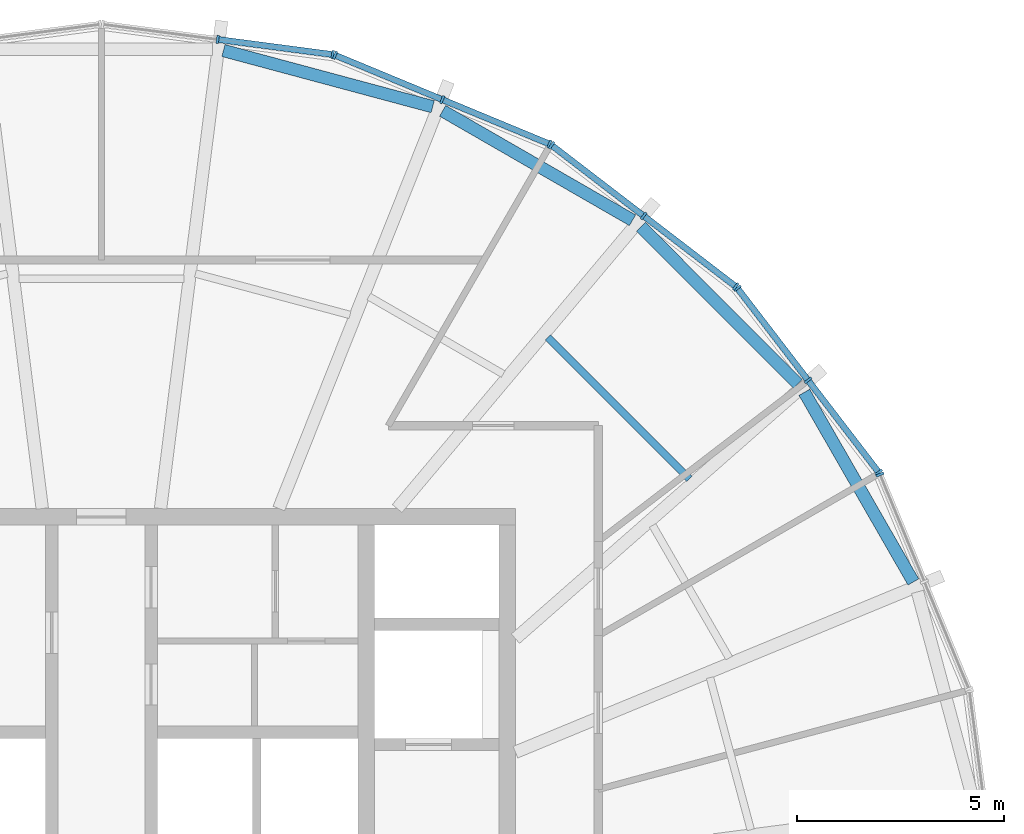
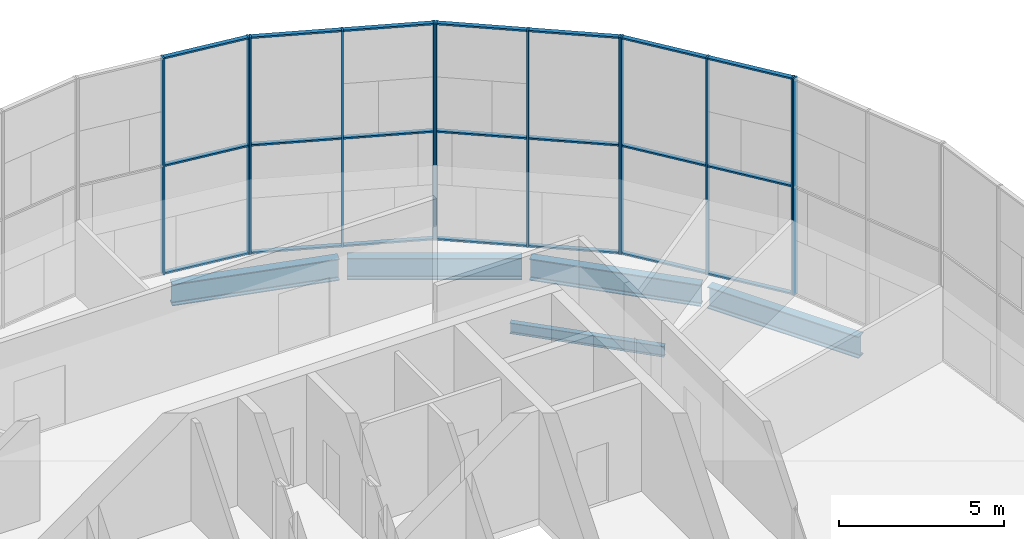
# One storey, part 7 of 18: 33 members, 5 beams, 5 elements without a shape of their own.
"""IFC4 building model written with IfcOpenShell, lengths in metres."""

from ifc_helpers import new_model, si_unit, direction, frame, origin, origin_2d, place, context, subcontext, project, spatial, rectangle, i_section, extrude, material, material_profile, profile_set, type_object, element, aggregate, save


model = new_model("IFC4")

# Units and contexts
model_context = context("Model", 3, precision=1e-05, world=origin(), true_north=direction((0.0, 1.0)))
body_context = subcontext(model_context, "Body", "Model", "MODEL_VIEW")
ifc_project = project(units=[si_unit("LENGTHUNIT", "METRE"), si_unit("AREAUNIT", "SQUARE_METRE"), si_unit("VOLUMEUNIT", "CUBIC_METRE"), si_unit("PLANEANGLEUNIT", "RADIAN"), si_unit("MASSUNIT", "GRAM", prefix="KILO")], contexts=[model_context])

# Site, building, storey
site_placement = place(None, origin())
site = spatial("IfcSite", under=ifc_project, at=site_placement, CompositionType="ELEMENT")
building_placement = place(site_placement, origin())
building = spatial("IfcBuilding", under=site, at=building_placement, Name="Golbaran Civic Tower", CompositionType="ELEMENT")
storey_placement = place(building_placement, frame((0.0, 0.0, 272.0)))
storey = spatial("IfcBuildingStorey", under=building, at=storey_placement, Name="L66", CompositionType="ELEMENT", Elevation=272.0)

# Beams
ifc_material_1 = material(Name="Steel S355", Category="steel")
ifc_material_profile_1 = material_profile(ifc_material_1, i_section(OverallWidth=0.300048828125, OverallDepth=0.800048828125, WebThickness=0.017578125, FlangeThickness=0.032958984375, FilletRadius=0.030029296875, at=origin_2d()), Name="HEB 800")
ifc_profile_set_1 = profile_set([ifc_material_profile_1], Name="Steel S355")
beam_type_1 = type_object("IfcBeamType", Name="EDGE BEAM HEB 800", PredefinedType="BEAM", material=ifc_profile_set_1)
beam_1_placement = place(storey_placement, frame((19.61083984375, 8.226806640625, -0.60009765625), z_axis=(-0.498381695671, 0.866957718358, 0.0), x_axis=(-0.866957718358, -0.498381695671, 0.0)))
element("IfcBeam", 1, at=beam_1_placement, inside=storey, type_object=beam_type_1, Name="Edge beam 22.41 L66", PredefinedType="BEAM", context=body_context, shape_type="SweptSolid", body=[
    extrude(i_section(OverallWidth=0.300048828125, OverallDepth=0.800048828125, WebThickness=0.017578125, FlangeThickness=0.032958984375, FilletRadius=0.030029296875, at=origin_2d()), origin(), (0.0, 0.0, 1.0), 5.283203125),
])
beam_2_placement = place(storey_placement, frame((16.819580078125, 13.01416015625, -0.60009765625), z_axis=(-0.70669645465, 0.707516869753, 0.0), x_axis=(-0.707516869753, -0.70669645465, 0.0)))
element("IfcBeam", 2, at=beam_2_placement, inside=storey, type_object=beam_type_1, Name="Edge beam 37.59 L66", PredefinedType="BEAM", context=body_context, shape_type="SweptSolid", body=[
    extrude(i_section(OverallWidth=0.300048828125, OverallDepth=0.800048828125, WebThickness=0.017578125, FlangeThickness=0.032958984375, FilletRadius=0.030029296875, at=origin_2d()), origin(), (0.0, 0.0, 1.0), 5.3564453125),
])
beam_3_placement = place(storey_placement, frame((12.82763671875, 16.962158203125, -0.60009765625), z_axis=(-0.866440450547, 0.499280427871, 0.0), x_axis=(-0.499280427871, -0.866440450547, 0.0)))
element("IfcBeam", 3, at=beam_3_placement, inside=storey, type_object=beam_type_1, Name="Edge beam 52.41 L66", PredefinedType="BEAM", context=body_context, shape_type="SweptSolid", body=[
    extrude(i_section(OverallWidth=0.300048828125, OverallDepth=0.800048828125, WebThickness=0.017578125, FlangeThickness=0.032958984375, FilletRadius=0.030029296875, at=origin_2d()), origin(), (0.0, 0.0, 1.0), 5.292236328125),
])
beam_4_placement = place(storey_placement, frame((8.001953125, 19.7041015625, -0.60009765625), z_axis=(-0.965775895826, 0.259377946329, 0.0), x_axis=(-0.259377946329, -0.965775895826, 0.0)))
element("IfcBeam", 4, at=beam_4_placement, inside=storey, type_object=beam_type_1, Name="Edge beam 67.59 L66", PredefinedType="BEAM", context=body_context, shape_type="SweptSolid", body=[
    extrude(i_section(OverallWidth=0.300048828125, OverallDepth=0.800048828125, WebThickness=0.017578125, FlangeThickness=0.032958984375, FilletRadius=0.030029296875, at=origin_2d()), origin(), (0.0, 0.0, 1.0), 5.234375),
])
ifc_material_profile_2 = material_profile(ifc_material_1, i_section(OverallWidth=0.179931640625, OverallDepth=0.39990234375, WebThickness=0.008544921875, FlangeThickness=0.013427734375, FilletRadius=0.02099609375, at=origin_2d()), Name="IPE 400")
ifc_profile_set_2 = profile_set([ifc_material_profile_2], Name="Steel S355")
beam_type_2 = type_object("IfcBeamType", Name="FLOOR INFILL BEAM IPE 400", PredefinedType="BEAM", material=ifc_profile_set_2)
beam_5_placement = place(storey_placement, frame((14.201171875, 10.716796875, -0.39990234375), z_axis=(-0.707081500738, 0.707132060731, 0.0), x_axis=(-0.707132060731, -0.707081500738, 0.0)))
element("IfcBeam", 5, at=beam_5_placement, inside=storey, type_object=beam_type_2, Name="Infill beam 45.00 L66", PredefinedType="BEAM", context=body_context, shape_type="SweptSolid", body=[
    extrude(i_section(OverallWidth=0.179931640625, OverallDepth=0.39990234375, WebThickness=0.008544921875, FlangeThickness=0.013427734375, FilletRadius=0.02099609375, at=origin_2d()), origin(), (0.0, 0.0, 1.0), 4.82861328125),
])

# Curtain wall, member
ifc_material_2 = material(Name="Aluminium and glass", Category="aluminium")
curtain_wall_type = type_object("IfcCurtainWallType", Name="INNER SKIN CURTAIN WALL EXECUTIVE", PredefinedType="NOTDEFINED", material=ifc_material_2)
curtain_wall_1_placement = place(storey_placement, origin())
curtain_wall_1 = element("IfcCurtainWall", 6, at=curtain_wall_1_placement, inside=storey, type_object=curtain_wall_type, Name="Inner skin L66 facet 2 CW2", ObjectType="INNER SKIN", PredefinedType="USERDEFINED")
ifc_material_3 = material(Name="Aluminium", Category="aluminium")
ifc_material_profile_3 = material_profile(ifc_material_3, rectangle(XDim=0.199951171875, YDim=0.06005859375, at=origin_2d()), Name="INNER SKIN CURTAIN WALL EXECUTIVE MULLION")
ifc_profile_set_3 = profile_set([ifc_material_profile_3], Name="Aluminium")
member_type_1 = type_object("IfcMemberType", Name="INNER SKIN CURTAIN WALL EXECUTIVE MULLION", PredefinedType="MULLION", material=ifc_profile_set_3)
member_1_placement = place(storey_placement, frame((18.803466796875, 10.82177734375, 0.0), z_axis=(0.0, 0.0, 1.0), x_axis=(-0.923879532498, -0.382683432397, 0.0)))
member_1 = element("IfcMember", 7, at=member_1_placement, type_object=member_type_1, Name="CW2 mullion 3", PredefinedType="MULLION", context=body_context, shape_type="SweptSolid", body=[
    extrude(rectangle(XDim=0.199951171875, YDim=0.06005859375, at=origin_2d()), origin(), (0.0, 0.0, 1.0), 8.0),
])
aggregate(curtain_wall_1, [member_1])

# Curtain wall, members
curtain_wall_2_placement = place(storey_placement, origin())
curtain_wall_2 = element("IfcCurtainWall", 8, at=curtain_wall_2_placement, inside=storey, type_object=curtain_wall_type, Name="Inner skin L66 facet 3 CW2", ObjectType="INNER SKIN", PredefinedType="USERDEFINED")
member_2_placement = place(storey_placement, frame((18.773681640625, 10.873291015625, 0.0), z_axis=(0.0, 0.0, 1.0), x_axis=(-0.79335334027, -0.608761429036, 0.0)))
member_2 = element("IfcMember", 9, at=member_2_placement, type_object=member_type_1, Name="CW2 mullion 1", PredefinedType="MULLION", context=body_context, shape_type="SweptSolid", body=[
    extrude(rectangle(XDim=0.199951171875, YDim=0.06005859375, at=origin_2d()), origin(), (0.0, 0.0, 1.0), 8.0),
])
member_3_placement = place(storey_placement, frame((17.067626953125, 13.096435546875, 0.0), z_axis=(0.0, 0.0, 1.0), x_axis=(-0.79335334027, -0.608761429036, 0.0)))
member_3 = element("IfcMember", 10, at=member_3_placement, type_object=member_type_1, Name="CW2 mullion 2", PredefinedType="MULLION", context=body_context, shape_type="SweptSolid", body=[
    extrude(rectangle(XDim=0.199951171875, YDim=0.06005859375, at=origin_2d()), origin(), (0.0, 0.0, 1.0), 8.0),
])
member_4_placement = place(storey_placement, frame((15.36181640625, 15.31982421875, 0.0), z_axis=(0.0, 0.0, 1.0), x_axis=(-0.79335334027, -0.608761429036, 0.0)))
member_4 = element("IfcMember", 11, at=member_4_placement, type_object=member_type_1, Name="CW2 mullion 3", PredefinedType="MULLION", context=body_context, shape_type="SweptSolid", body=[
    extrude(rectangle(XDim=0.199951171875, YDim=0.06005859375, at=origin_2d()), origin(), (0.0, 0.0, 1.0), 8.0),
])

curtain_wall_3_placement = place(storey_placement, origin())
curtain_wall_3 = element("IfcCurtainWall", 12, at=curtain_wall_3_placement, inside=storey, type_object=curtain_wall_type, Name="Inner skin L66 facet 4 CW2", ObjectType="INNER SKIN", PredefinedType="USERDEFINED")
member_5_placement = place(storey_placement, frame((15.31982421875, 15.36181640625, 0.0), z_axis=(0.0, 0.0, 1.0), x_axis=(-0.608761429036, -0.79335334027, 0.0)))
member_5 = element("IfcMember", 13, at=member_5_placement, type_object=member_type_1, Name="CW2 mullion 1", PredefinedType="MULLION", context=body_context, shape_type="SweptSolid", body=[
    extrude(rectangle(XDim=0.199951171875, YDim=0.06005859375, at=origin_2d()), origin(), (0.0, 0.0, 1.0), 8.0),
])
member_6_placement = place(storey_placement, frame((13.096435546875, 17.067626953125, 0.0), z_axis=(0.0, 0.0, 1.0), x_axis=(-0.608761429036, -0.79335334027, 0.0)))
member_6 = element("IfcMember", 14, at=member_6_placement, type_object=member_type_1, Name="CW2 mullion 2", PredefinedType="MULLION", context=body_context, shape_type="SweptSolid", body=[
    extrude(rectangle(XDim=0.199951171875, YDim=0.06005859375, at=origin_2d()), origin(), (0.0, 0.0, 1.0), 8.0),
])
member_7_placement = place(storey_placement, frame((10.873291015625, 18.773681640625, 0.0), z_axis=(0.0, 0.0, 1.0), x_axis=(-0.608761429036, -0.79335334027, 0.0)))
member_7 = element("IfcMember", 15, at=member_7_placement, type_object=member_type_1, Name="CW2 mullion 3", PredefinedType="MULLION", context=body_context, shape_type="SweptSolid", body=[
    extrude(rectangle(XDim=0.199951171875, YDim=0.06005859375, at=origin_2d()), origin(), (0.0, 0.0, 1.0), 8.0),
])

curtain_wall_4_placement = place(storey_placement, origin())
curtain_wall_4 = element("IfcCurtainWall", 16, at=curtain_wall_4_placement, inside=storey, type_object=curtain_wall_type, Name="Inner skin L66 facet 5 CW2", ObjectType="INNER SKIN", PredefinedType="USERDEFINED")
member_8_placement = place(storey_placement, frame((10.82177734375, 18.803466796875, 0.0), z_axis=(0.0, 0.0, 1.0), x_axis=(-0.382683432397, -0.923879532498, 0.0)))
member_8 = element("IfcMember", 17, at=member_8_placement, type_object=member_type_1, Name="CW2 mullion 1", PredefinedType="MULLION", context=body_context, shape_type="SweptSolid", body=[
    extrude(rectangle(XDim=0.199951171875, YDim=0.06005859375, at=origin_2d()), origin(), (0.0, 0.0, 1.0), 8.0),
])
member_9_placement = place(storey_placement, frame((8.23291015625, 19.875732421875, 0.0), z_axis=(0.0, 0.0, 1.0), x_axis=(-0.382683432397, -0.923879532498, 0.0)))
member_9 = element("IfcMember", 18, at=member_9_placement, type_object=member_type_1, Name="CW2 mullion 2", PredefinedType="MULLION", context=body_context, shape_type="SweptSolid", body=[
    extrude(rectangle(XDim=0.199951171875, YDim=0.06005859375, at=origin_2d()), origin(), (0.0, 0.0, 1.0), 8.0),
])
member_10_placement = place(storey_placement, frame((5.643798828125, 20.9482421875, 0.0), z_axis=(0.0, 0.0, 1.0), x_axis=(-0.382683432397, -0.923879532498, 0.0)))
member_10 = element("IfcMember", 19, at=member_10_placement, type_object=member_type_1, Name="CW2 mullion 3", PredefinedType="MULLION", context=body_context, shape_type="SweptSolid", body=[
    extrude(rectangle(XDim=0.199951171875, YDim=0.06005859375, at=origin_2d()), origin(), (0.0, 0.0, 1.0), 8.0),
])

curtain_wall_5_placement = place(storey_placement, origin())
curtain_wall_5 = element("IfcCurtainWall", 20, at=curtain_wall_5_placement, inside=storey, type_object=curtain_wall_type, Name="Inner skin L66 facet 6 CW2", ObjectType="INNER SKIN", PredefinedType="USERDEFINED")
member_11_placement = place(storey_placement, frame((5.58642578125, 20.963623046875, 0.0), z_axis=(0.0, 0.0, 1.0), x_axis=(-0.130526192151, -0.991444861383, 0.0)))
member_11 = element("IfcMember", 21, at=member_11_placement, type_object=member_type_1, Name="CW2 mullion 1", PredefinedType="MULLION", context=body_context, shape_type="SweptSolid", body=[
    extrude(rectangle(XDim=0.199951171875, YDim=0.06005859375, at=origin_2d()), origin(), (0.0, 0.0, 1.0), 8.0),
])
member_12_placement = place(storey_placement, frame((2.80810546875, 21.329345703125, 0.0), z_axis=(0.0, 0.0, 1.0), x_axis=(-0.130526192151, -0.991444861383, 0.0)))
member_12 = element("IfcMember", 22, at=member_12_placement, type_object=member_type_1, Name="CW2 mullion 2", PredefinedType="MULLION", context=body_context, shape_type="SweptSolid", body=[
    extrude(rectangle(XDim=0.199951171875, YDim=0.06005859375, at=origin_2d()), origin(), (0.0, 0.0, 1.0), 8.0),
])

# Member
ifc_material_profile_4 = material_profile(ifc_material_3, rectangle(XDim=0.14990234375, YDim=0.06005859375, at=origin_2d()), Name="INNER SKIN CURTAIN WALL EXECUTIVE TRANSOM")
ifc_profile_set_4 = profile_set([ifc_material_profile_4], Name="Aluminium")
member_type_2 = type_object("IfcMemberType", Name="INNER SKIN CURTAIN WALL EXECUTIVE TRANSOM", PredefinedType="USERDEFINED", material=ifc_profile_set_4)
member_13_placement = place(storey_placement, frame((18.75537109375, 10.897216796875, 0.030029296875), z_axis=(-0.60878099708, 0.793338324799, 0.0), x_axis=(-0.793338324799, -0.60878099708, 0.0)))
member_13 = element("IfcMember", 23, at=member_13_placement, type_object=member_type_2, Name="CW2 transom 1.1", ObjectType="TRANSOM", PredefinedType="USERDEFINED", context=body_context, shape_type="SweptSolid", body=[
    extrude(rectangle(XDim=0.14990234375, YDim=0.06005859375, at=origin_2d()), origin(), (0.0, 0.0, 1.0), 2.7421875),
])

member_14_placement = place(storey_placement, frame((18.75537109375, 10.897216796875, 4.0), z_axis=(-0.60878099708, 0.793338324799, 0.0), x_axis=(-0.793338324799, -0.60878099708, 0.0)))
member_14 = element("IfcMember", 24, at=member_14_placement, type_object=member_type_2, Name="CW2 transom 1.2", ObjectType="TRANSOM", PredefinedType="USERDEFINED", context=body_context, shape_type="SweptSolid", body=[
    extrude(rectangle(XDim=0.14990234375, YDim=0.06005859375, at=origin_2d()), origin(), (0.0, 0.0, 1.0), 2.7421875),
])

member_15_placement = place(storey_placement, frame((18.75537109375, 10.897216796875, 7.969970703125), z_axis=(-0.60878099708, 0.793338324799, 0.0), x_axis=(-0.793338324799, -0.60878099708, 0.0)))
member_15 = element("IfcMember", 25, at=member_15_placement, type_object=member_type_2, Name="CW2 transom 1.3", ObjectType="TRANSOM", PredefinedType="USERDEFINED", context=body_context, shape_type="SweptSolid", body=[
    extrude(rectangle(XDim=0.14990234375, YDim=0.06005859375, at=origin_2d()), origin(), (0.0, 0.0, 1.0), 2.7421875),
])

member_16_placement = place(storey_placement, frame((17.04931640625, 13.120361328125, 0.030029296875), z_axis=(-0.608724958881, 0.793381323473, 0.0), x_axis=(-0.793381323473, -0.608724958881, 0.0)))
member_16 = element("IfcMember", 26, at=member_16_placement, type_object=member_type_2, Name="CW2 transom 2.1", ObjectType="TRANSOM", PredefinedType="USERDEFINED", context=body_context, shape_type="SweptSolid", body=[
    extrude(rectangle(XDim=0.14990234375, YDim=0.06005859375, at=origin_2d()), origin(), (0.0, 0.0, 1.0), 2.7421875),
])

member_17_placement = place(storey_placement, frame((17.04931640625, 13.120361328125, 4.0), z_axis=(-0.608724958881, 0.793381323473, 0.0), x_axis=(-0.793381323473, -0.608724958881, 0.0)))
member_17 = element("IfcMember", 27, at=member_17_placement, type_object=member_type_2, Name="CW2 transom 2.2", ObjectType="TRANSOM", PredefinedType="USERDEFINED", context=body_context, shape_type="SweptSolid", body=[
    extrude(rectangle(XDim=0.14990234375, YDim=0.06005859375, at=origin_2d()), origin(), (0.0, 0.0, 1.0), 2.7421875),
])

member_18_placement = place(storey_placement, frame((17.04931640625, 13.120361328125, 7.969970703125), z_axis=(-0.608724958881, 0.793381323473, 0.0), x_axis=(-0.793381323473, -0.608724958881, 0.0)))
member_18 = element("IfcMember", 28, at=member_18_placement, type_object=member_type_2, Name="CW2 transom 2.3", ObjectType="TRANSOM", PredefinedType="USERDEFINED", context=body_context, shape_type="SweptSolid", body=[
    extrude(rectangle(XDim=0.14990234375, YDim=0.06005859375, at=origin_2d()), origin(), (0.0, 0.0, 1.0), 2.7421875),
])

aggregate(curtain_wall_2, [member_2, member_3, member_4, member_13, member_14, member_15, member_16, member_17, member_18])

member_19_placement = place(storey_placement, frame((15.2958984375, 15.380126953125, 0.030029296875), z_axis=(-0.793381323473, 0.608724958881, 0.0), x_axis=(-0.608724958881, -0.793381323473, 0.0)))
member_19 = element("IfcMember", 29, at=member_19_placement, type_object=member_type_2, Name="CW2 transom 1.1", ObjectType="TRANSOM", PredefinedType="USERDEFINED", context=body_context, shape_type="SweptSolid", body=[
    extrude(rectangle(XDim=0.14990234375, YDim=0.06005859375, at=origin_2d()), origin(), (0.0, 0.0, 1.0), 2.7421875),
])

member_20_placement = place(storey_placement, frame((15.2958984375, 15.380126953125, 4.0), z_axis=(-0.793381323473, 0.608724958881, 0.0), x_axis=(-0.608724958881, -0.793381323473, 0.0)))
member_20 = element("IfcMember", 30, at=member_20_placement, type_object=member_type_2, Name="CW2 transom 1.2", ObjectType="TRANSOM", PredefinedType="USERDEFINED", context=body_context, shape_type="SweptSolid", body=[
    extrude(rectangle(XDim=0.14990234375, YDim=0.06005859375, at=origin_2d()), origin(), (0.0, 0.0, 1.0), 2.7421875),
])

member_21_placement = place(storey_placement, frame((15.2958984375, 15.380126953125, 7.969970703125), z_axis=(-0.793381323473, 0.608724958881, 0.0), x_axis=(-0.608724958881, -0.793381323473, 0.0)))
member_21 = element("IfcMember", 31, at=member_21_placement, type_object=member_type_2, Name="CW2 transom 1.3", ObjectType="TRANSOM", PredefinedType="USERDEFINED", context=body_context, shape_type="SweptSolid", body=[
    extrude(rectangle(XDim=0.14990234375, YDim=0.06005859375, at=origin_2d()), origin(), (0.0, 0.0, 1.0), 2.7421875),
])

member_22_placement = place(storey_placement, frame((13.07275390625, 17.0859375, 0.030029296875), z_axis=(-0.793338324799, 0.60878099708, 0.0), x_axis=(-0.60878099708, -0.793338324799, 0.0)))
member_22 = element("IfcMember", 32, at=member_22_placement, type_object=member_type_2, Name="CW2 transom 2.1", ObjectType="TRANSOM", PredefinedType="USERDEFINED", context=body_context, shape_type="SweptSolid", body=[
    extrude(rectangle(XDim=0.14990234375, YDim=0.06005859375, at=origin_2d()), origin(), (0.0, 0.0, 1.0), 2.7421875),
])

member_23_placement = place(storey_placement, frame((13.07275390625, 17.0859375, 4.0), z_axis=(-0.793338324799, 0.60878099708, 0.0), x_axis=(-0.60878099708, -0.793338324799, 0.0)))
member_23 = element("IfcMember", 33, at=member_23_placement, type_object=member_type_2, Name="CW2 transom 2.2", ObjectType="TRANSOM", PredefinedType="USERDEFINED", context=body_context, shape_type="SweptSolid", body=[
    extrude(rectangle(XDim=0.14990234375, YDim=0.06005859375, at=origin_2d()), origin(), (0.0, 0.0, 1.0), 2.7421875),
])

member_24_placement = place(storey_placement, frame((13.07275390625, 17.0859375, 7.969970703125), z_axis=(-0.793338324799, 0.60878099708, 0.0), x_axis=(-0.60878099708, -0.793338324799, 0.0)))
member_24 = element("IfcMember", 34, at=member_24_placement, type_object=member_type_2, Name="CW2 transom 2.3", ObjectType="TRANSOM", PredefinedType="USERDEFINED", context=body_context, shape_type="SweptSolid", body=[
    extrude(rectangle(XDim=0.14990234375, YDim=0.06005859375, at=origin_2d()), origin(), (0.0, 0.0, 1.0), 2.7421875),
])

aggregate(curtain_wall_3, [member_5, member_6, member_7, member_19, member_20, member_21, member_22, member_23, member_24])

member_25_placement = place(storey_placement, frame((10.7939453125, 18.81494140625, 0.030029296875), z_axis=(-0.923888790987, 0.382661079663, 0.0), x_axis=(-0.382661079663, -0.923888790987, 0.0)))
member_25 = element("IfcMember", 35, at=member_25_placement, type_object=member_type_2, Name="CW2 transom 1.1", ObjectType="TRANSOM", PredefinedType="USERDEFINED", context=body_context, shape_type="SweptSolid", body=[
    extrude(rectangle(XDim=0.14990234375, YDim=0.06005859375, at=origin_2d()), origin(), (0.0, 0.0, 1.0), 2.7421875),
])

member_26_placement = place(storey_placement, frame((10.7939453125, 18.81494140625, 4.0), z_axis=(-0.923888790987, 0.382661079663, 0.0), x_axis=(-0.382661079663, -0.923888790987, 0.0)))
member_26 = element("IfcMember", 36, at=member_26_placement, type_object=member_type_2, Name="CW2 transom 1.2", ObjectType="TRANSOM", PredefinedType="USERDEFINED", context=body_context, shape_type="SweptSolid", body=[
    extrude(rectangle(XDim=0.14990234375, YDim=0.06005859375, at=origin_2d()), origin(), (0.0, 0.0, 1.0), 2.7421875),
])

member_27_placement = place(storey_placement, frame((10.7939453125, 18.81494140625, 7.969970703125), z_axis=(-0.923888790987, 0.382661079663, 0.0), x_axis=(-0.382661079663, -0.923888790987, 0.0)))
member_27 = element("IfcMember", 37, at=member_27_placement, type_object=member_type_2, Name="CW2 transom 1.3", ObjectType="TRANSOM", PredefinedType="USERDEFINED", context=body_context, shape_type="SweptSolid", body=[
    extrude(rectangle(XDim=0.14990234375, YDim=0.06005859375, at=origin_2d()), origin(), (0.0, 0.0, 1.0), 2.7421875),
])

member_28_placement = place(storey_placement, frame((8.205078125, 19.88720703125, 0.030029296875), z_axis=(-0.923857312765, 0.382737071174, 0.0), x_axis=(-0.382737071174, -0.923857312765, 0.0)))
member_28 = element("IfcMember", 38, at=member_28_placement, type_object=member_type_2, Name="CW2 transom 2.1", ObjectType="TRANSOM", PredefinedType="USERDEFINED", context=body_context, shape_type="SweptSolid", body=[
    extrude(rectangle(XDim=0.14990234375, YDim=0.06005859375, at=origin_2d()), origin(), (0.0, 0.0, 1.0), 2.7421875),
])

member_29_placement = place(storey_placement, frame((8.205078125, 19.88720703125, 4.0), z_axis=(-0.923857312765, 0.382737071174, 0.0), x_axis=(-0.382737071174, -0.923857312765, 0.0)))
member_29 = element("IfcMember", 39, at=member_29_placement, type_object=member_type_2, Name="CW2 transom 2.2", ObjectType="TRANSOM", PredefinedType="USERDEFINED", context=body_context, shape_type="SweptSolid", body=[
    extrude(rectangle(XDim=0.14990234375, YDim=0.06005859375, at=origin_2d()), origin(), (0.0, 0.0, 1.0), 2.7421875),
])

member_30_placement = place(storey_placement, frame((8.205078125, 19.88720703125, 7.969970703125), z_axis=(-0.923857312765, 0.382737071174, 0.0), x_axis=(-0.382737071174, -0.923857312765, 0.0)))
member_30 = element("IfcMember", 40, at=member_30_placement, type_object=member_type_2, Name="CW2 transom 2.3", ObjectType="TRANSOM", PredefinedType="USERDEFINED", context=body_context, shape_type="SweptSolid", body=[
    extrude(rectangle(XDim=0.14990234375, YDim=0.06005859375, at=origin_2d()), origin(), (0.0, 0.0, 1.0), 2.7421875),
])

aggregate(curtain_wall_4, [member_8, member_9, member_10, member_25, member_26, member_27, member_28, member_29, member_30])

member_31_placement = place(storey_placement, frame((5.556640625, 20.967529296875, 0.030029296875), z_axis=(-0.99144580856, 0.130518997427, 0.0), x_axis=(-0.130518997427, -0.99144580856, 0.0)))
member_31 = element("IfcMember", 41, at=member_31_placement, type_object=member_type_2, Name="CW2 transom 1.1", ObjectType="TRANSOM", PredefinedType="USERDEFINED", context=body_context, shape_type="SweptSolid", body=[
    extrude(rectangle(XDim=0.14990234375, YDim=0.06005859375, at=origin_2d()), origin(), (0.0, 0.0, 1.0), 2.7421875),
])

member_32_placement = place(storey_placement, frame((5.556640625, 20.967529296875, 4.0), z_axis=(-0.99144580856, 0.130518997427, 0.0), x_axis=(-0.130518997427, -0.99144580856, 0.0)))
member_32 = element("IfcMember", 42, at=member_32_placement, type_object=member_type_2, Name="CW2 transom 1.2", ObjectType="TRANSOM", PredefinedType="USERDEFINED", context=body_context, shape_type="SweptSolid", body=[
    extrude(rectangle(XDim=0.14990234375, YDim=0.06005859375, at=origin_2d()), origin(), (0.0, 0.0, 1.0), 2.7421875),
])

member_33_placement = place(storey_placement, frame((5.556640625, 20.967529296875, 7.969970703125), z_axis=(-0.99144580856, 0.130518997427, 0.0), x_axis=(-0.130518997427, -0.99144580856, 0.0)))
member_33 = element("IfcMember", 43, at=member_33_placement, type_object=member_type_2, Name="CW2 transom 1.3", ObjectType="TRANSOM", PredefinedType="USERDEFINED", context=body_context, shape_type="SweptSolid", body=[
    extrude(rectangle(XDim=0.14990234375, YDim=0.06005859375, at=origin_2d()), origin(), (0.0, 0.0, 1.0), 2.7421875),
])

aggregate(curtain_wall_5, [member_11, member_12, member_31, member_32, member_33])

save(model, "model.ifc")
